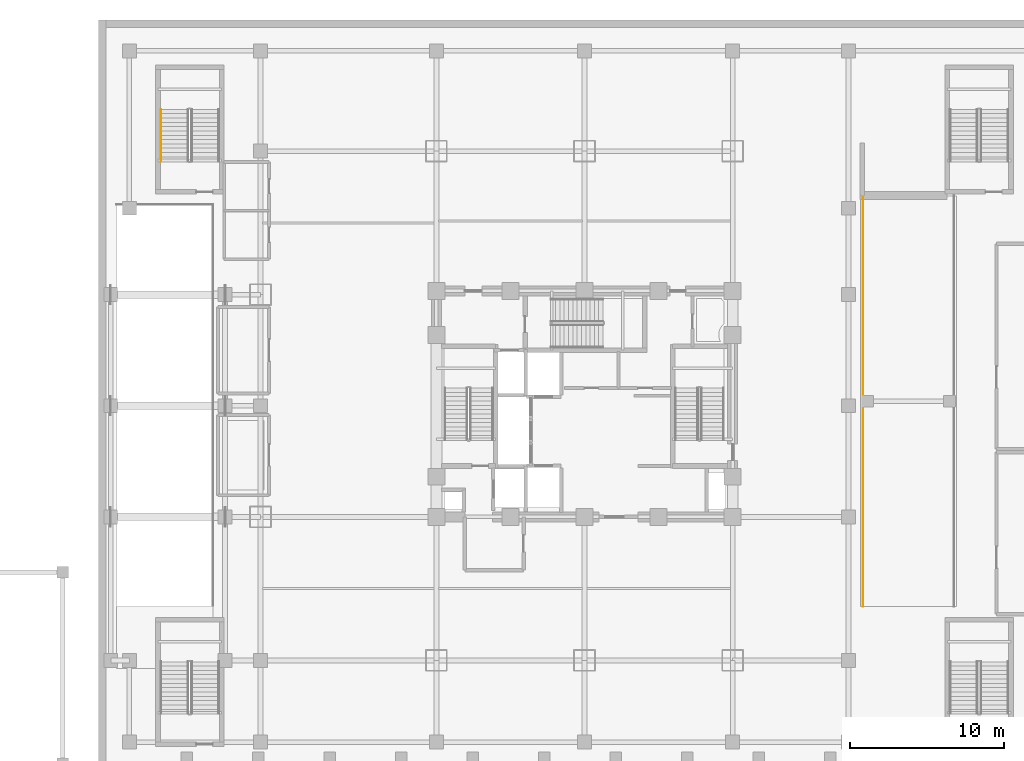
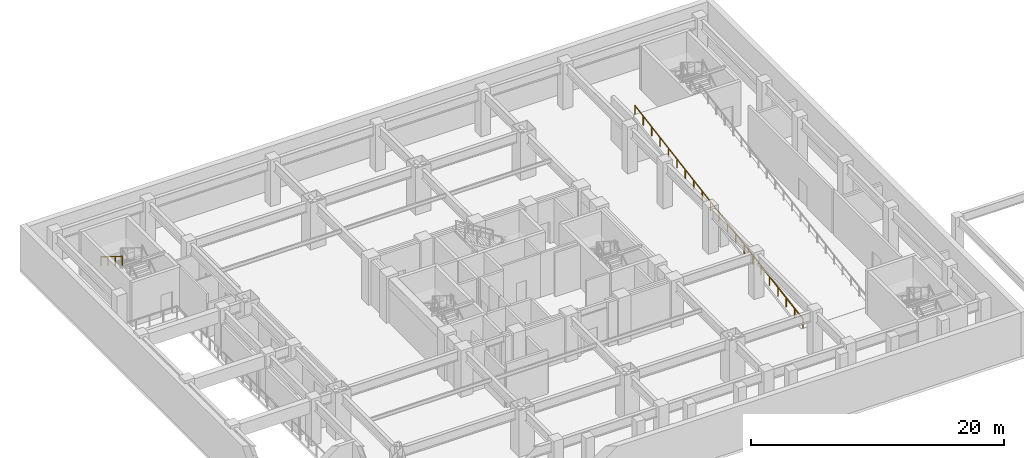
# One storey, part 9 of 12: 2 railings.
"""IFC4 building model written with IfcOpenShell, lengths in metres."""

from ifc_helpers import new_model, si_unit, direction, frame, origin, origin_2d, place, context, subcontext, project, spatial, rectangle, extrude, material, type_object, element, save


model = new_model("IFC4")

# Units and contexts
model_context = context("Model", 3, precision=1e-05, world=origin(), true_north=direction((0.0, 1.0)))
body_context = subcontext(model_context, "Body", "Model", "MODEL_VIEW")
ifc_project = project(units=[si_unit("LENGTHUNIT", "METRE"), si_unit("AREAUNIT", "SQUARE_METRE"), si_unit("VOLUMEUNIT", "CUBIC_METRE"), si_unit("PLANEANGLEUNIT", "RADIAN"), si_unit("MASSUNIT", "GRAM", prefix="KILO")], contexts=[model_context])

# Site, building, storey
site_placement = place(None, origin())
site = spatial("IfcSite", under=ifc_project, at=site_placement, CompositionType="ELEMENT")
building_placement = place(site_placement, origin())
building = spatial("IfcBuilding", under=site, at=building_placement, Name="Vantalir Tower", CompositionType="ELEMENT")
storey_placement = place(building_placement, frame((0.0, 0.0, -4.5)))
storey = spatial("IfcBuildingStorey", under=building, at=storey_placement, Name="B01", CompositionType="ELEMENT", Elevation=-4.5)

# Railings
ifc_material = material(Name="Brushed stainless steel tubular handrail", Category="steel")
railing_type = type_object("IfcRailingType", Name="RAL-HANDRAIL-900", PredefinedType="HANDRAIL", material=ifc_material)
railing_1_placement = place(storey_placement, frame((4.050048828125, 44.2099609375, 2.423095703125)))
element("IfcRailing", 1, at=railing_1_placement, inside=storey, type_object=railing_type, Name="B01 PST1 stair handrail 2", PredefinedType="HANDRAIL", context=body_context, shape_type="SweptSolid", body=[
    extrude(rectangle(XDim=0.048095703125, YDim=0.048095703125, at=origin_2d()), frame((0.0, 0.0, 0.8759765625), z_axis=(0.0, -0.850606129759, 0.525803396734), x_axis=(1.0, 0.0, 0.0)), (0.0, 0.0, 1.0), 3.949951171875),
    extrude(rectangle(XDim=0.0419921875, YDim=0.0419921875, at=origin_2d()), origin(), (0.0, 0.0, 1.0), 0.851806640625),
    extrude(rectangle(XDim=0.0419921875, YDim=0.0419921875, at=origin_2d()), frame((0.0, -1.119873046875, 0.6923828125)), (0.0, 0.0, 1.0), 0.851806640625),
    extrude(rectangle(XDim=0.0419921875, YDim=0.0419921875, at=origin_2d()), frame((0.0, -2.239990234375, 1.384521484375)), (0.0, 0.0, 1.0), 0.851806640625),
    extrude(rectangle(XDim=0.0419921875, YDim=0.0419921875, at=origin_2d()), frame((0.0, -3.35986328125, 2.076904296875)), (0.0, 0.0, 1.0), 0.851806640625),
])
railing_2_placement = place(storey_placement, frame((49.550048828125, 12.0009765625, 0.0)))
element("IfcRailing", 2, at=railing_2_placement, inside=storey, type_object=railing_type, Name="Car Park Vehicle Ramp Slab VR-1 B01 to L00 Kerb Rail W", PredefinedType="HANDRAIL", context=body_context, shape_type="SweptSolid", body=[
    extrude(rectangle(XDim=0.048095703125, YDim=0.048095703125, at=origin_2d()), frame((0.0, 0.0, 0.8759765625), z_axis=(0.0, 0.985988352071, 0.166814176797), x_axis=(-1.0, 0.0, 0.0)), (0.0, 0.0, 1.0), 26.97607421875),
    extrude(rectangle(XDim=0.0419921875, YDim=0.0419921875, at=origin_2d()), origin(), (0.0, 0.0, 1.0), 0.851806640625),
    extrude(rectangle(XDim=0.0419921875, YDim=0.0419921875, at=origin_2d()), frame((0.0, 1.329833984375, 0.22509765625)), (0.0, 0.0, 1.0), 0.851806640625),
    extrude(rectangle(XDim=0.0419921875, YDim=0.0419921875, at=origin_2d()), frame((0.0, 2.659912109375, 0.449951171875)), (0.0, 0.0, 1.0), 0.851806640625),
    extrude(rectangle(XDim=0.0419921875, YDim=0.0419921875, at=origin_2d()), frame((0.0, 3.98974609375, 0.675048828125)), (0.0, 0.0, 1.0), 0.851806640625),
    extrude(rectangle(XDim=0.0419921875, YDim=0.0419921875, at=origin_2d()), frame((0.0, 5.319580078125, 0.89990234375)), (0.0, 0.0, 1.0), 0.851806640625),
    extrude(rectangle(XDim=0.0419921875, YDim=0.0419921875, at=origin_2d()), frame((0.0, 6.6494140625, 1.125)), (0.0, 0.0, 1.0), 0.851806640625),
    extrude(rectangle(XDim=0.0419921875, YDim=0.0419921875, at=origin_2d()), frame((0.0, 7.9794921875, 1.35009765625)), (0.0, 0.0, 1.0), 0.851806640625),
    extrude(rectangle(XDim=0.0419921875, YDim=0.0419921875, at=origin_2d()), frame((0.0, 9.309326171875, 1.574951171875)), (0.0, 0.0, 1.0), 0.851806640625),
    extrude(rectangle(XDim=0.0419921875, YDim=0.0419921875, at=origin_2d()), frame((0.0, 10.63916015625, 1.800048828125)), (0.0, 0.0, 1.0), 0.851806640625),
    extrude(rectangle(XDim=0.0419921875, YDim=0.0419921875, at=origin_2d()), frame((0.0, 11.96923828125, 2.02490234375)), (0.0, 0.0, 1.0), 0.851806640625),
    extrude(rectangle(XDim=0.0419921875, YDim=0.0419921875, at=origin_2d()), frame((0.0, 13.299072265625, 2.25)), (0.0, 0.0, 1.0), 0.851806640625),
    extrude(rectangle(XDim=0.0419921875, YDim=0.0419921875, at=origin_2d()), frame((0.0, 14.62890625, 2.47509765625)), (0.0, 0.0, 1.0), 0.851806640625),
    extrude(rectangle(XDim=0.0419921875, YDim=0.0419921875, at=origin_2d()), frame((0.0, 15.958984375, 2.699951171875)), (0.0, 0.0, 1.0), 0.851806640625),
    extrude(rectangle(XDim=0.0419921875, YDim=0.0419921875, at=origin_2d()), frame((0.0, 17.288818359375, 2.925048828125)), (0.0, 0.0, 1.0), 0.851806640625),
    extrude(rectangle(XDim=0.0419921875, YDim=0.0419921875, at=origin_2d()), frame((0.0, 18.61865234375, 3.14990234375)), (0.0, 0.0, 1.0), 0.851806640625),
    extrude(rectangle(XDim=0.0419921875, YDim=0.0419921875, at=origin_2d()), frame((0.0, 19.94873046875, 3.375)), (0.0, 0.0, 1.0), 0.851806640625),
    extrude(rectangle(XDim=0.0419921875, YDim=0.0419921875, at=origin_2d()), frame((0.0, 21.278564453125, 3.60009765625)), (0.0, 0.0, 1.0), 0.851806640625),
    extrude(rectangle(XDim=0.0419921875, YDim=0.0419921875, at=origin_2d()), frame((0.0, 22.6083984375, 3.824951171875)), (0.0, 0.0, 1.0), 0.851806640625),
    extrude(rectangle(XDim=0.0419921875, YDim=0.0419921875, at=origin_2d()), frame((0.0, 23.938232421875, 4.050048828125)), (0.0, 0.0, 1.0), 0.851806640625),
    extrude(rectangle(XDim=0.0419921875, YDim=0.0419921875, at=origin_2d()), frame((0.0, 25.268310546875, 4.27490234375)), (0.0, 0.0, 1.0), 0.851806640625),
    extrude(rectangle(XDim=0.0419921875, YDim=0.0419921875, at=origin_2d()), frame((0.0, 26.59814453125, 4.5)), (0.0, 0.0, 1.0), 0.851806640625),
])

save(model, "model.ifc")
